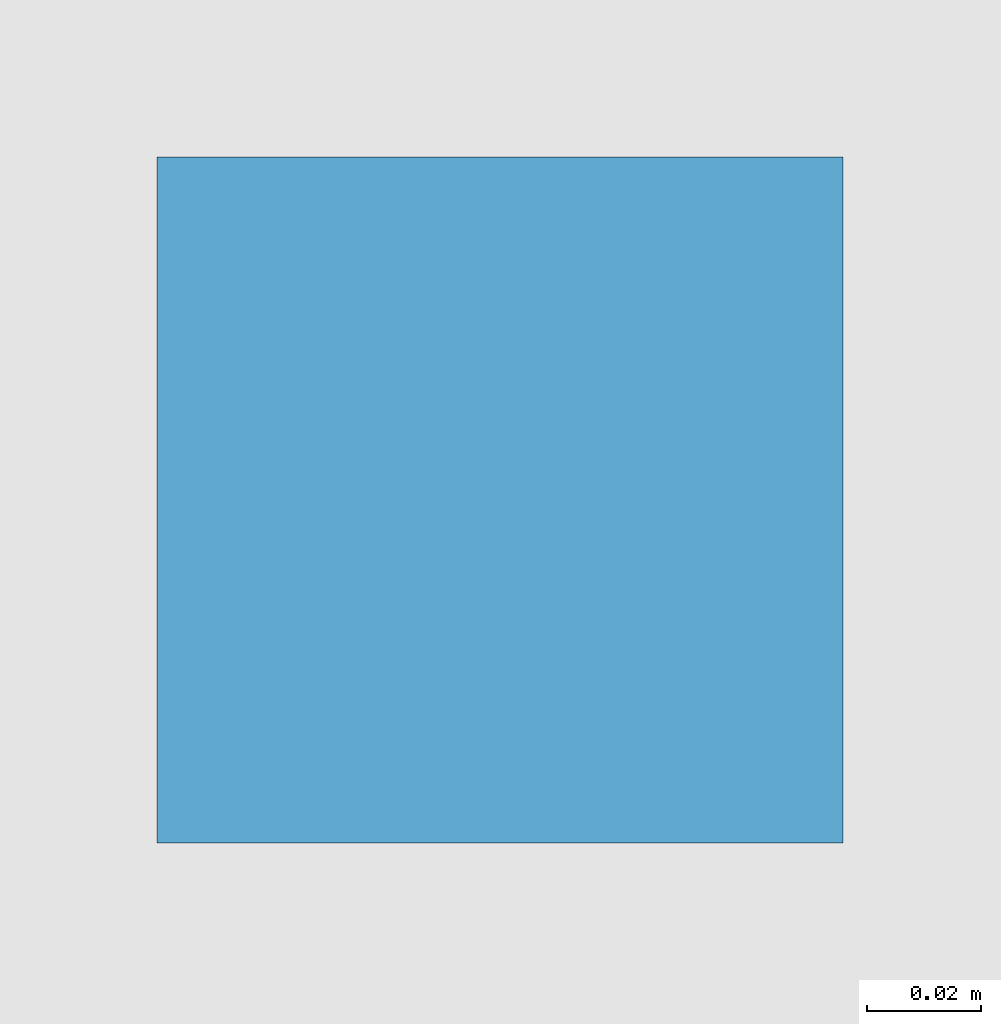
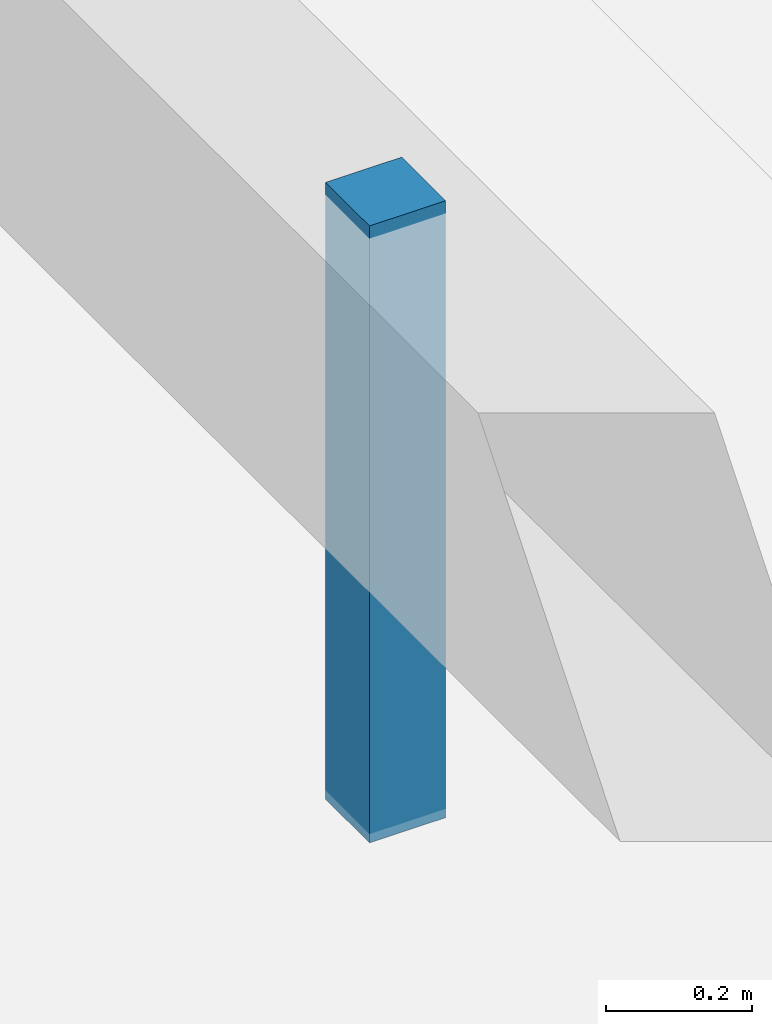
# One storey, part 121 of 138: 1 discrete accessory.
"""IFC4 building model written with IfcOpenShell, lengths in metres."""

import ifcopenshell
import ifcopenshell.guid

model = None  # the IFC model being written
_history = None  # IfcOwnerHistory: only IFC2X3 demands one
_inside = {}  # id of a spatial element -> (the spatial element, [elements in it])
_under = {}  # id of a project, library or spatial element -> (it, [spatial elements below it])
_declared = {}  # id of a project -> (the project, [libraries it declares])
_typed = {}  # id of a type object -> (the type object, [elements of that type])
_made_of = {}  # id of a material, layer set ... -> (it, [elements and type objects made of it])


def new_model(schema):
    """Start an empty IFC model of exactly this schema.

    Asked for "IFC4X3", IfcOpenShell would pick the latest addendum, in which some entities
    have other attributes; the version numbers below select the first issue.
    IFC2X3 requires an IfcOwnerHistory on every rooted entity: one is made here for all.
    """
    global model, _history
    if schema == "IFC4X3":
        model = ifcopenshell.file(schema_version=(4, 3, 0, 0))
    else:
        model = ifcopenshell.file(schema=schema)
    _inside.clear()
    _under.clear()
    _declared.clear()
    _typed.clear()
    _made_of.clear()
    _history = None
    if model.schema == "IFC2X3":
        org = make("IfcOrganization", Name="unknown")
        user = make(
            "IfcPersonAndOrganization",
            ThePerson=make("IfcPerson", FamilyName="unknown"),
            TheOrganization=org,
        )
        app = make(
            "IfcApplication",
            ApplicationDeveloper=org,
            Version="unknown",
            ApplicationFullName="unknown",
            ApplicationIdentifier="unknown",
        )
        _history = make(
            "IfcOwnerHistory",
            OwningUser=user,
            OwningApplication=app,
            ChangeAction="ADDED",
            CreationDate=0,
        )
    return model


def make(cls, **values):
    """One entity of the class cls with the attributes given. An attribute that is None is left unset."""
    return model.create_entity(
        cls, **{name: value for name, value in values.items() if value is not None}
    )


def rooted(cls, **values):
    """An entity with a GlobalId (a new one), such as an element, a storey or a relation."""
    return make(cls, GlobalId=ifcopenshell.guid.new(), OwnerHistory=_history, **values)


def si_unit(unit_type, name, prefix=None):
    """IfcSIUnit, for example si_unit("LENGTHUNIT", "METRE", prefix="MILLI")."""
    return make("IfcSIUnit", UnitType=unit_type, Prefix=prefix, Name=name)


def assignment(units):
    """IfcUnitAssignment: the units of a project."""
    return None if units is None else make("IfcUnitAssignment", Units=units)


def point(xyz):
    """IfcCartesianPoint."""
    return None if xyz is None else make("IfcCartesianPoint", Coordinates=xyz)


def direction(xyz):
    """IfcDirection."""
    return None if xyz is None else make("IfcDirection", DirectionRatios=xyz)


def frame(location, z_axis=None, x_axis=None):
    """IfcAxis2Placement3D, a coordinate frame: its origin and axes. An axis left out is left unset."""
    return make(
        "IfcAxis2Placement3D",
        Location=point(location),
        Axis=direction(z_axis),
        RefDirection=direction(x_axis),
    )


def frame_2d(location, x_axis=None):
    """IfcAxis2Placement2D, a coordinate frame in the plane: its origin and x axis."""
    return make(
        "IfcAxis2Placement2D", Location=point(location), RefDirection=direction(x_axis)
    )


def origin():
    """The frame at (0, 0, 0) with its axes left unset."""
    return frame((0.0, 0.0, 0.0))


def origin_2d():
    """The frame at (0, 0) in the plane with its x axis left unset."""
    return frame_2d((0.0, 0.0))


def place(relative_to, where):
    """IfcLocalPlacement: puts the frame where relative to a parent placement (None: the world)."""
    return make(
        "IfcLocalPlacement", PlacementRelTo=relative_to, RelativePlacement=where
    )


def context(
    kind, dimensions, precision=None, world=None, true_north=None, identifier=None
):
    """IfcGeometricRepresentationContext, for example the 3D "Model" context."""
    return make(
        "IfcGeometricRepresentationContext",
        ContextIdentifier=identifier,
        ContextType=kind,
        CoordinateSpaceDimension=dimensions,
        Precision=precision,
        WorldCoordinateSystem=world,
        TrueNorth=true_north,
    )


def subcontext(parent, identifier, kind, view, scale=None):
    """IfcGeometricRepresentationSubContext, for example "Body" below "Model"."""
    return make(
        "IfcGeometricRepresentationSubContext",
        ContextIdentifier=identifier,
        ContextType=kind,
        ParentContext=parent,
        TargetScale=scale,
        TargetView=view,
    )


def project(units=None, contexts=None):
    """IfcProject with its units and contexts."""
    return rooted(
        "IfcProject",
        Name="project",
        RepresentationContexts=contexts,
        UnitsInContext=assignment(units),
    )


def spatial(cls, under=None, at=None, **own):
    """A site, building, storey or space (cls), placed at a placement, below another one or the project."""
    s = rooted(cls, ObjectPlacement=at, **own)
    if under is not None:
        _under.setdefault(under.id(), (under, []))[1].append(s)
    return s


def profile(cls, at=None, kind="AREA", **sizes):
    """A parametric profile (cls). Its sizes go by their IFC names, for example OverallWidth=200.0."""
    return make(cls, ProfileType=kind, Position=at, **sizes)


def rectangle(**sizes):
    """IfcRectangleProfileDef."""
    return profile("IfcRectangleProfileDef", **sizes)


def extrude(swept, where, along, depth):
    """IfcExtrudedAreaSolid: the profile swept, set in the frame where, extruded along a direction by depth."""
    return make(
        "IfcExtrudedAreaSolid",
        SweptArea=swept,
        Position=where,
        ExtrudedDirection=direction(along),
        Depth=depth,
    )


def shape(context_of_items, identifier, shape_type, items):
    """IfcShapeRepresentation: the items that make up one representation, for example the "Body"."""
    return make(
        "IfcShapeRepresentation",
        ContextOfItems=context_of_items,
        RepresentationIdentifier=identifier,
        RepresentationType=shape_type,
        Items=items,
    )


def material(Name=None, Category=None):
    """IfcMaterial."""
    return make("IfcMaterial", Name=Name, Category=Category)


def made_of(thing, what):
    """Note that an element or type object is made of a material, layer set ...; save() writes the relation."""
    if what is not None:
        _made_of.setdefault(what.id(), (what, []))[1].append(thing)
    return thing


def type_object(cls, material=None, **own):
    """A type object (cls), such as IfcWallType, which elements share."""
    return made_of(rooted(cls, **own), material)


def element(
    cls,
    number,
    at=None,
    inside=None,
    cuts=None,
    type_object=None,
    material=None,
    context=None,
    identifier="Body",
    shape_type=None,
    held_by="IfcProductDefinitionShape",
    body=None,
    shapes=None,
    **own,
):
    """One element of the class cls, such as IfcWall. Its Tag is "e" and its number.

    at: its placement. inside: the storey or other place that contains it. cuts: it is an
    opening in that element (IfcRelVoidsElement). A single representation is given by context,
    identifier, shape_type and body (its items); several are given by shapes. held_by: the class
    of the entity that holds the representations. save() writes the other relations.
    """
    e = rooted(cls, Tag="e%d" % number, ObjectPlacement=at, **own)
    if body is not None:
        shapes = [shape(context, identifier, shape_type, body)]
    if shapes is not None:
        e.Representation = make(held_by, Representations=shapes)
    if inside is not None:
        _inside.setdefault(inside.id(), (inside, []))[1].append(e)
    if cuts is not None:
        rooted(
            "IfcRelVoidsElement", RelatingBuildingElement=cuts, RelatedOpeningElement=e
        )
    if type_object is not None:
        _typed.setdefault(type_object.id(), (type_object, []))[1].append(e)
    return made_of(e, material)


def aggregate(whole, parts):
    """IfcRelAggregates: a whole, such as a stair, and the parts it consists of."""
    return rooted("IfcRelAggregates", RelatingObject=whole, RelatedObjects=parts)


def save(model, path):
    """Write the relations noted so far, then the file.

    IfcRelAggregates (storeys below a building ...), IfcRelContainedInSpatialStructure (elements
    in a storey), IfcRelDefinesByType, IfcRelAssociatesMaterial and IfcRelDeclares: one each for
    every whole, place, type object, material and project.
    """
    for whole, parts in _under.values():
        aggregate(whole, parts)
    for where, things in _inside.values():
        rooted(
            "IfcRelContainedInSpatialStructure",
            RelatedElements=things,
            RelatingStructure=where,
        )
    for kind, things in _typed.values():
        rooted("IfcRelDefinesByType", RelatedObjects=things, RelatingType=kind)
    for what, things in _made_of.values():
        rooted("IfcRelAssociatesMaterial", RelatedObjects=things, RelatingMaterial=what)
    for by, libraries in _declared.values():
        rooted("IfcRelDeclares", RelatingContext=by, RelatedDefinitions=libraries)
    model.write(path)


model = new_model("IFC4")

# Units and contexts
model_context = context("Model", 3, precision=1e-05, world=origin(), true_north=direction((0.0, 1.0)))
body_context = subcontext(model_context, "Body", "Model", "MODEL_VIEW")
ifc_project = project(units=[si_unit("LENGTHUNIT", "METRE"), si_unit("AREAUNIT", "SQUARE_METRE"), si_unit("VOLUMEUNIT", "CUBIC_METRE"), si_unit("PLANEANGLEUNIT", "RADIAN"), si_unit("MASSUNIT", "GRAM", prefix="KILO")], contexts=[model_context])

# Site, building, storey
site_placement = place(None, origin())
site = spatial("IfcSite", under=ifc_project, at=site_placement, CompositionType="ELEMENT")
building_placement = place(site_placement, origin())
building = spatial("IfcBuilding", under=site, at=building_placement, Name="Fikremerkos Civic Library", CompositionType="ELEMENT")
storey_placement = place(building_placement, origin())
storey = spatial("IfcBuildingStorey", under=building, at=storey_placement, Name="L00", CompositionType="ELEMENT", Elevation=0.0)

# Discrete accessory
ifc_material = material(Name="Galvanized Steel S275", Category="steel")
discrete_accessory_type = type_object("IfcDiscreteAccessoryType", Name="Ceiling hanger bracket BRK-01", PredefinedType="BRACKET", material=ifc_material)
discrete_accessory_placement = place(storey_placement, frame((4.800048828125, 82.800048828125, 4.14990234375), z_axis=(0.0, 0.0, 1.0), x_axis=(1.0, 0.0, 0.0)))
element("IfcDiscreteAccessory", 1, at=discrete_accessory_placement, inside=storey, type_object=discrete_accessory_type, Name="Acoustic ceiling hanger bracket #26", PredefinedType="BRACKET", context=body_context, shape_type="SweptSolid", body=[
    extrude(rectangle(XDim=0.1201171875, YDim=0.1201171875, at=origin_2d()), origin(), (0.0, 0.0, 1.0), 1.030029296875),
])

save(model, "model.ifc")
